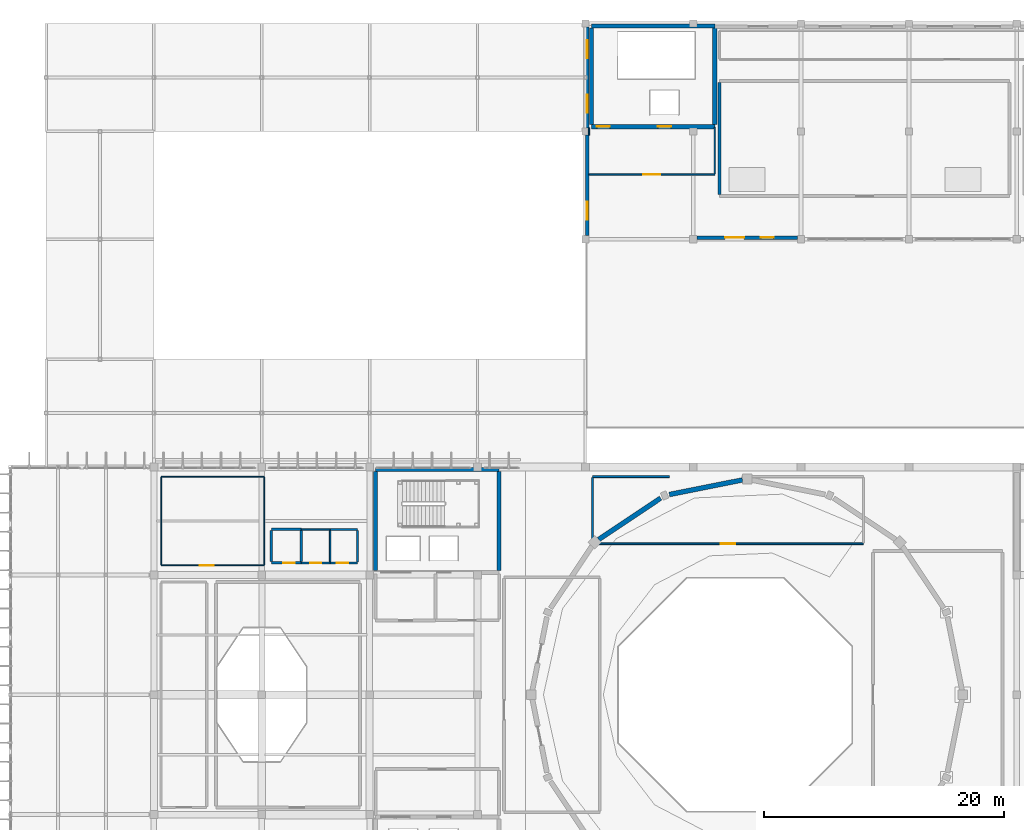
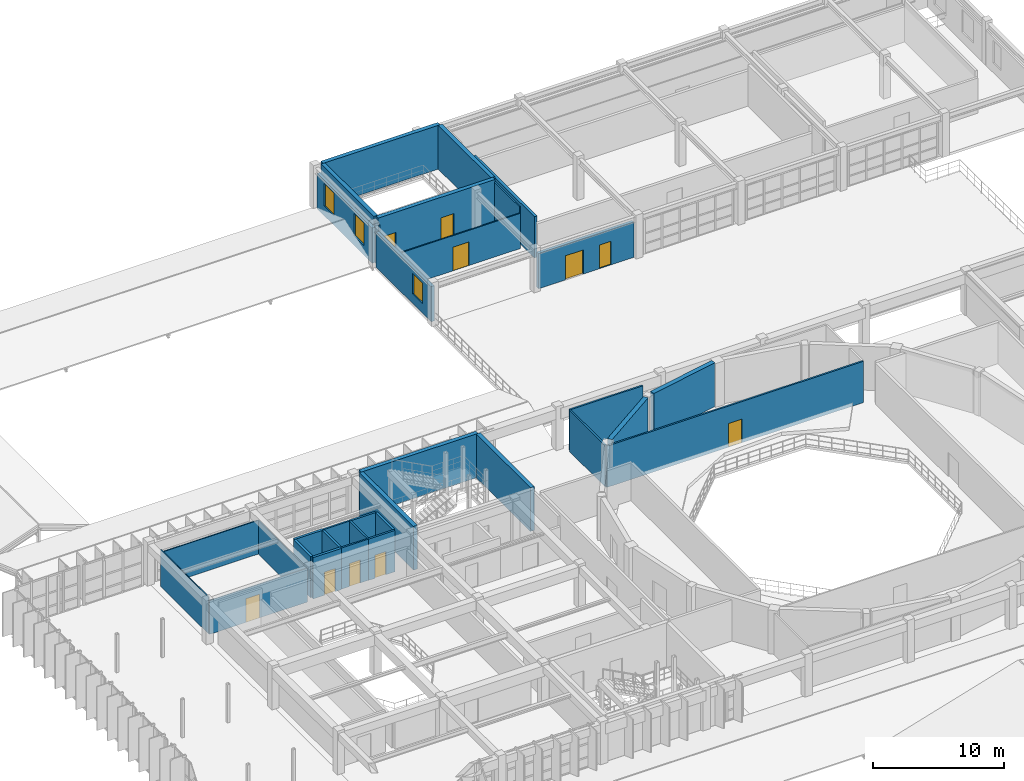
# One storey, part 71 of 80: 33 walls, 10 doors, 3 windows, 13 openings.
"""IFC4 building model written with IfcOpenShell, lengths in metres."""

from ifc_helpers import new_model, si_unit, direction, frame, frame_2d, origin, place, context, subcontext, project, spatial, rectangle, extrude, material, layer, layer_set, type_object, element, fill, save


model = new_model("IFC4")

# Units and contexts
model_context = context("Model", 3, precision=1e-05, world=origin(), true_north=direction((0.0, 1.0)))
body_context = subcontext(model_context, "Body", "Model", "MODEL_VIEW")
ifc_project = project(units=[si_unit("LENGTHUNIT", "METRE"), si_unit("AREAUNIT", "SQUARE_METRE"), si_unit("VOLUMEUNIT", "CUBIC_METRE"), si_unit("PLANEANGLEUNIT", "RADIAN"), si_unit("MASSUNIT", "GRAM", prefix="KILO")], contexts=[model_context])

# Site, building, storey
site_placement = place(None, origin())
site = spatial("IfcSite", under=ifc_project, at=site_placement, CompositionType="ELEMENT")
building_placement = place(site_placement, origin())
building = spatial("IfcBuilding", under=site, at=building_placement, Name="Miravela Opera House", CompositionType="ELEMENT")
storey_placement = place(building_placement, frame((0.0, 0.0, 17.679931640625)))
storey = spatial("IfcBuildingStorey", under=building, at=storey_placement, Name="L04", CompositionType="ELEMENT", Elevation=17.679931640625)

# Wall, opening, window
ifc_material_1 = material(Name="Insulated cream lime-stuccoed masonry", Category="masonry")
ifc_layer_1 = layer(ifc_material_1, 0.2900390625)
ifc_layer_set_1 = layer_set([ifc_layer_1])
wall_type_1 = type_object("IfcWallType", Name="ARC-EW-STUCCO-290", PredefinedType="STANDARD", material=ifc_layer_set_1)
wall_1_placement = place(storey_placement, frame((63.14990234375, 94.300048828125, 0.0), z_axis=(0.0, 0.0, 1.0), x_axis=(0.0, 1.0, 0.0)))
wall_1 = element("IfcWall", 1, at=wall_1_placement, inside=storey, type_object=wall_type_1, Name="Spanish Colonial Stucco Facade Wall L04-058", PredefinedType="STANDARD", context=body_context, shape_type="SweptSolid", body=[
    extrude(rectangle(XDim=8.39990234375, YDim=0.2900390625, at=frame_2d((4.199951171875, 0.0))), origin(), (0.0, 0.0, 1.0), 3.277099609375),
])
opening_1_placement = place(wall_1_placement, frame((1.35009765625, 0.0, 0.89990234375)))
opening_1 = element("IfcOpeningElement", 2, at=opening_1_placement, cuts=wall_1, Name="Opening W-36", PredefinedType="OPENING", context=body_context, shape_type="SweptSolid", body=[
    extrude(rectangle(XDim=1.47998046875, YDim=1.89990234375, at=frame_2d((0.739990234375, 0.949951171875))), frame((0.0, 0.155029296875, 0.0), z_axis=(0.0, -1.0, 0.0), x_axis=(1.0, 0.0, 0.0)), (0.0, 0.0, 1.0), 0.31005859375),
])
ifc_material_2 = material(Name="Bronze-anodised aluminium and acoustic low-E glass", Category="aluminium")
window_type_1 = type_object("IfcWindowType", Name="ARC-WIN-36", PartitioningType="DOUBLE_PANEL_VERTICAL", PredefinedType="WINDOW", material=ifc_material_2)
window_1_placement = place(opening_1_placement, origin())
window_1 = element("IfcWindow", 3, at=window_1_placement, inside=storey, type_object=window_type_1, Name="Window W-36 #135", OverallHeight=1.89990234375, OverallWidth=1.47998046875, PartitioningType="DOUBLE_PANEL_VERTICAL", PredefinedType="WINDOW", context=body_context, shape_type="SweptSolid", body=[
    extrude(rectangle(XDim=1.47998046875, YDim=1.89990234375, at=frame_2d((0.739990234375, 0.949951171875))), frame((0.0, 0.030029296875, 0.0), z_axis=(0.0, -1.0, 0.0), x_axis=(1.0, 0.0, 0.0)), (0.0, 0.0, 1.0), 0.06005859375),
])
fill(opening_1, window_1)

# Wall, openings, windows
wall_2_placement = place(storey_placement, frame((63.14990234375, 103.300048828125, 0.0), z_axis=(0.0, 0.0, 1.0), x_axis=(0.0, 1.0, 0.0)))
wall_2 = element("IfcWall", 4, at=wall_2_placement, inside=storey, type_object=wall_type_1, Name="Spanish Colonial Stucco Facade Wall L04-060", PredefinedType="STANDARD", context=body_context, shape_type="SweptSolid", body=[
    extrude(rectangle(XDim=8.39990234375, YDim=0.2900390625, at=frame_2d((4.199951171875, 0.0))), origin(), (0.0, 0.0, 1.0), 3.277099609375),
])
opening_2_placement = place(wall_2_placement, frame((1.25, 0.0, 0.89990234375)))
opening_2 = element("IfcOpeningElement", 5, at=opening_2_placement, cuts=wall_2, Name="Opening W-02", PredefinedType="OPENING", context=body_context, shape_type="SweptSolid", body=[
    extrude(rectangle(XDim=1.5, YDim=2.10009765625, at=frame_2d((0.75, 1.050048828125))), frame((0.0, 0.155029296875, 0.0), z_axis=(0.0, -1.0, 0.0), x_axis=(1.0, 0.0, 0.0)), (0.0, 0.0, 1.0), 0.31005859375),
])
opening_3_placement = place(wall_2_placement, frame((5.800048828125, 0.0, 0.89990234375)))
opening_3 = element("IfcOpeningElement", 6, at=opening_3_placement, cuts=wall_2, Name="Opening W-02", PredefinedType="OPENING", context=body_context, shape_type="SweptSolid", body=[
    extrude(rectangle(XDim=1.5, YDim=2.10009765625, at=frame_2d((0.75, 1.050048828125))), frame((0.0, 0.155029296875, 0.0), z_axis=(0.0, -1.0, 0.0), x_axis=(1.0, 0.0, 0.0)), (0.0, 0.0, 1.0), 0.31005859375),
])
window_type_2 = type_object("IfcWindowType", Name="ARC-WIN-02", PartitioningType="DOUBLE_PANEL_VERTICAL", PredefinedType="WINDOW", material=ifc_material_2)
window_2_placement = place(opening_2_placement, origin())
window_2 = element("IfcWindow", 7, at=window_2_placement, inside=storey, type_object=window_type_2, Name="Window W-02 #138", OverallHeight=2.10009765625, OverallWidth=1.5, PartitioningType="DOUBLE_PANEL_VERTICAL", PredefinedType="WINDOW", context=body_context, shape_type="SweptSolid", body=[
    extrude(rectangle(XDim=1.5, YDim=2.10009765625, at=frame_2d((0.75, 1.050048828125))), frame((0.0, 0.030029296875, 0.0), z_axis=(0.0, -1.0, 0.0), x_axis=(1.0, 0.0, 0.0)), (0.0, 0.0, 1.0), 0.06005859375),
])
fill(opening_2, window_2)
window_3_placement = place(opening_3_placement, origin())
window_3 = element("IfcWindow", 8, at=window_3_placement, inside=storey, type_object=window_type_2, Name="Window W-02 #139", OverallHeight=2.10009765625, OverallWidth=1.5, PartitioningType="DOUBLE_PANEL_VERTICAL", PredefinedType="WINDOW", context=body_context, shape_type="SweptSolid", body=[
    extrude(rectangle(XDim=1.5, YDim=2.10009765625, at=frame_2d((0.75, 1.050048828125))), frame((0.0, 0.030029296875, 0.0), z_axis=(0.0, -1.0, 0.0), x_axis=(1.0, 0.0, 0.0)), (0.0, 0.0, 1.0), 0.06005859375),
])
fill(opening_3, window_3)

# Wall, openings, doors
wall_3_placement = place(storey_placement, frame((72.300048828125, 94.14990234375, 0.0), z_axis=(0.0, 0.0, 1.0), x_axis=(1.0, 0.0, 0.0)))
wall_3 = element("IfcWall", 9, at=wall_3_placement, inside=storey, type_object=wall_type_1, Name="L04 North Planted Roof Terrace Portal Wall", PredefinedType="STANDARD", context=body_context, shape_type="SweptSolid", body=[
    extrude(rectangle(XDim=8.39990234375, YDim=0.2900390625, at=frame_2d((4.199951171875, 0.0))), origin(), (0.0, 0.0, 1.0), 3.277099609375),
])
opening_4_placement = place(wall_3_placement, frame((2.35009765625, 0.0, 0.0)))
opening_4 = element("IfcOpeningElement", 10, at=opening_4_placement, cuts=wall_3, Name="Opening TD-01", PredefinedType="OPENING", context=body_context, shape_type="SweptSolid", body=[
    extrude(rectangle(XDim=1.60009765625, YDim=2.25, at=frame_2d((0.800048828125, 1.125))), frame((0.0, 0.155029296875, 0.0), z_axis=(0.0, -1.0, 0.0), x_axis=(1.0, 0.0, 0.0)), (0.0, 0.0, 1.0), 0.31005859375),
])
opening_5_placement = place(wall_3_placement, frame((5.35009765625, 0.0, 0.0)))
opening_5 = element("IfcOpeningElement", 11, at=opening_5_placement, cuts=wall_3, Name="Opening TD-02", PredefinedType="OPENING", context=body_context, shape_type="SweptSolid", body=[
    extrude(rectangle(XDim=1.050048828125, YDim=2.199951171875, at=frame_2d((0.52490234375, 1.10009765625))), frame((0.0, 0.155029296875, 0.0), z_axis=(0.0, -1.0, 0.0), x_axis=(1.0, 0.0, 0.0)), (0.0, 0.0, 1.0), 0.31005859375),
])
ifc_material_3 = material(Name="Anodised architectural bronze aluminium 6063-T6", Category="aluminium")
door_type_1 = type_object("IfcDoorType", Name="ARC-TD-1050X2200", OperationType="NOTDEFINED", PredefinedType="DOOR", material=ifc_material_3)
door_1_placement = place(opening_5_placement, frame((1.050048828125, 0.0, 0.0), z_axis=(0.0, 0.0, 1.0), x_axis=(-1.0, 0.0, 0.0)))
door_1 = element("IfcDoor", 12, at=door_1_placement, inside=storey, type_object=door_type_1, Name="L04 North Planted Roof Terrace Access Door 2 EXD-L04-033", OperationType="SINGLE_SWING_RIGHT", OverallHeight=2.199951171875, OverallWidth=1.050048828125, PredefinedType="DOOR", context=body_context, shape_type="SweptSolid", body=[
    extrude(rectangle(XDim=1.050048828125, YDim=2.199951171875, at=frame_2d((0.52490234375, 1.10009765625))), frame((0.0, 0.02490234375, 0.0), z_axis=(0.0, -1.0, 0.0), x_axis=(1.0, 0.0, 0.0)), (0.0, 0.0, 1.0), 0.050048828125),
])
fill(opening_5, door_1)
door_type_2 = type_object("IfcDoorType", Name="ARC-TD-1600X2250", OperationType="NOTDEFINED", PredefinedType="DOOR", material=ifc_material_3)
door_2_placement = place(opening_4_placement, frame((1.60009765625, 0.0, 0.0), z_axis=(0.0, 0.0, 1.0), x_axis=(-1.0, 0.0, 0.0)))
door_2 = element("IfcDoor", 13, at=door_2_placement, inside=storey, type_object=door_type_2, Name="L04 North Planted Roof Terrace Access Door 1 EXD-L04-032", OperationType="DOUBLE_DOOR_SINGLE_SWING", OverallHeight=2.25, OverallWidth=1.60009765625, PredefinedType="DOOR", context=body_context, shape_type="SweptSolid", body=[
    extrude(rectangle(XDim=1.60009765625, YDim=2.25, at=frame_2d((0.800048828125, 1.125))), frame((0.0, 0.02490234375, 0.0), z_axis=(0.0, -1.0, 0.0), x_axis=(1.0, 0.0, 0.0)), (0.0, 0.0, 1.0), 0.050048828125),
])
fill(opening_4, door_2)

# Wall, opening, door
ifc_material_4 = material(Name="Sanitary chase acoustic plumbing wall")
ifc_layer_2 = layer(ifc_material_4, 0.139892578125)
ifc_layer_set_2 = layer_set([ifc_layer_2])
wall_type_2 = type_object("IfcWallType", Name="ARC-PLW-150", PredefinedType="PLUMBINGWALL", material=ifc_layer_set_2)
wall_4_placement = place(storey_placement, frame((39.300048828125, 67.0, 0.0), z_axis=(0.0, 0.0, 1.0), x_axis=(1.0, 0.0, 0.0)))
wall_4 = element("IfcWall", 14, at=wall_4_placement, inside=storey, type_object=wall_type_2, Name="Female Public WC L04 Partition South", PredefinedType="PLUMBINGWALL", context=body_context, shape_type="SweptSolid", body=[
    extrude(rectangle(XDim=2.39990234375, YDim=0.139892578125, at=frame_2d((1.199951171875, 0.0))), origin(), (0.0, 0.0, 1.0), 3.840087890625),
])
opening_6_placement = place(wall_4_placement, frame((0.72509765625, 0.0, 0.0)))
opening_6 = element("IfcOpeningElement", 15, at=opening_6_placement, cuts=wall_4, Name="Opening ID-01", PredefinedType="OPENING", context=body_context, shape_type="SweptSolid", body=[
    extrude(rectangle(XDim=0.949951171875, YDim=2.14990234375, at=frame_2d((0.47509765625, 1.074951171875))), frame((0.0, 0.079833984375, 0.0), z_axis=(0.0, -1.0, 0.0), x_axis=(1.0, 0.0, 0.0)), (0.0, 0.0, 1.0), 0.159912109375),
])
ifc_material_5 = material(Name="Solid mahogany acoustic room door")
door_type_3 = type_object("IfcDoorType", Name="ARC-DR-950X2150", OperationType="NOTDEFINED", PredefinedType="DOOR", material=ifc_material_5)
door_3_placement = place(opening_6_placement, origin())
door_3 = element("IfcDoor", 16, at=door_3_placement, inside=storey, type_object=door_type_3, Name="Female Public WC L04 Entry Door IDR-L04-0309", OperationType="SINGLE_SWING_LEFT", OverallHeight=2.14990234375, OverallWidth=0.949951171875, PredefinedType="DOOR", context=body_context, shape_type="SweptSolid", body=[
    extrude(rectangle(XDim=0.949951171875, YDim=2.14990234375, at=frame_2d((0.47509765625, 1.074951171875))), frame((0.0, 0.02490234375, 0.0), z_axis=(0.0, -1.0, 0.0), x_axis=(1.0, 0.0, 0.0)), (0.0, 0.0, 1.0), 0.050048828125),
])
fill(opening_6, door_3)

# Walls
wall_5_placement = place(storey_placement, frame((39.300048828125, 69.800048828125, 0.0), z_axis=(0.0, 0.0, 1.0), x_axis=(1.0, 0.0, 0.0)))
element("IfcWall", 17, at=wall_5_placement, inside=storey, type_object=wall_type_2, Name="Female Public WC L04 Partition North", PredefinedType="PLUMBINGWALL", context=body_context, shape_type="SweptSolid", body=[
    extrude(rectangle(XDim=2.39990234375, YDim=0.139892578125, at=frame_2d((1.199951171875, 0.0))), origin(), (0.0, 0.0, 1.0), 3.840087890625),
])
wall_6_placement = place(storey_placement, frame((41.699951171875, 67.070068359375, 0.0), z_axis=(0.0, 0.0, 1.0), x_axis=(0.0, 1.0, 0.0)))
element("IfcWall", 18, at=wall_6_placement, inside=storey, type_object=wall_type_2, Name="Female Public WC L04 Partition East", PredefinedType="PLUMBINGWALL", context=body_context, shape_type="SweptSolid", body=[
    extrude(rectangle(XDim=2.659912109375, YDim=0.139892578125, at=frame_2d((1.330078125, 0.0))), origin(), (0.0, 0.0, 1.0), 3.840087890625),
])

# Wall, opening, door
ifc_material_6 = material(Name="Public washroom wet-service chase wall")
ifc_layer_3 = layer(ifc_material_6, 0.179931640625)
ifc_layer_set_3 = layer_set([ifc_layer_3])
wall_type_3 = type_object("IfcWallType", Name="ARC-PLW-180", PredefinedType="PLUMBINGWALL", material=ifc_layer_set_3)
wall_7_placement = place(storey_placement, frame((41.699951171875, 67.0, 0.0), z_axis=(0.0, 0.0, 1.0), x_axis=(1.0, 0.0, 0.0)))
wall_7 = element("IfcWall", 19, at=wall_7_placement, inside=storey, type_object=wall_type_3, Name="Male Public WC L04 Partition South", PredefinedType="PLUMBINGWALL", context=body_context, shape_type="SweptSolid", body=[
    extrude(rectangle(XDim=2.300048828125, YDim=0.179931640625, at=frame_2d((1.14990234375, 0.0))), origin(), (0.0, 0.0, 1.0), 3.840087890625),
])
opening_7_placement = place(wall_7_placement, frame((0.560302734375, 0.0, 0.0)))
opening_7 = element("IfcOpeningElement", 20, at=opening_7_placement, cuts=wall_7, Name="Opening ID-01", PredefinedType="OPENING", context=body_context, shape_type="SweptSolid", body=[
    extrude(rectangle(XDim=0.949951171875, YDim=2.14990234375, at=frame_2d((0.47509765625, 1.074951171875))), frame((0.0, 0.099853515625, 0.0), z_axis=(0.0, -1.0, 0.0), x_axis=(1.0, 0.0, 0.0)), (0.0, 0.0, 1.0), 0.199951171875),
])
door_4_placement = place(opening_7_placement, origin())
door_4 = element("IfcDoor", 21, at=door_4_placement, inside=storey, type_object=door_type_3, Name="Male Public WC L04 Entry Door IDR-L04-0310", OperationType="SINGLE_SWING_RIGHT", OverallHeight=2.14990234375, OverallWidth=0.949951171875, PredefinedType="DOOR", context=body_context, shape_type="SweptSolid", body=[
    extrude(rectangle(XDim=0.949951171875, YDim=2.14990234375, at=frame_2d((0.47509765625, 1.074951171875))), frame((0.0, 0.02490234375, 0.0), z_axis=(0.0, -1.0, 0.0), x_axis=(1.0, 0.0, 0.0)), (0.0, 0.0, 1.0), 0.050048828125),
])
fill(opening_7, door_4)

# Walls
wall_8_placement = place(storey_placement, frame((41.699951171875, 69.800048828125, 0.0), z_axis=(0.0, 0.0, 1.0), x_axis=(1.0, 0.0, 0.0)))
element("IfcWall", 22, at=wall_8_placement, inside=storey, type_object=wall_type_3, Name="Male Public WC L04 Partition North", PredefinedType="PLUMBINGWALL", context=body_context, shape_type="SweptSolid", body=[
    extrude(rectangle(XDim=2.300048828125, YDim=0.179931640625, at=frame_2d((1.14990234375, 0.0))), origin(), (0.0, 0.0, 1.0), 3.840087890625),
])
wall_9_placement = place(storey_placement, frame((44.0, 67.090087890625, 0.0), z_axis=(0.0, 0.0, 1.0), x_axis=(0.0, 1.0, 0.0)))
element("IfcWall", 23, at=wall_9_placement, inside=storey, type_object=wall_type_3, Name="Male Public WC L04 Partition East", PredefinedType="PLUMBINGWALL", context=body_context, shape_type="SweptSolid", body=[
    extrude(rectangle(XDim=2.619873046875, YDim=0.179931640625, at=frame_2d((1.31005859375, 0.0))), origin(), (0.0, 0.0, 1.0), 3.840087890625),
])

# Wall, opening, door
ifc_material_7 = material(Name="Dressing suite sanitary chase wall")
ifc_layer_4 = layer(ifc_material_7, 0.219970703125)
ifc_layer_set_4 = layer_set([ifc_layer_4])
wall_type_4 = type_object("IfcWallType", Name="ARC-PLW-215", PredefinedType="PLUMBINGWALL", material=ifc_layer_set_4)
wall_10_placement = place(storey_placement, frame((36.800048828125, 67.0, 0.0), z_axis=(0.0, 0.0, 1.0), x_axis=(1.0, 0.0, 0.0)))
wall_10 = element("IfcWall", 24, at=wall_10_placement, inside=storey, type_object=wall_type_4, Name="Accessible WC L04 Partition South", PredefinedType="PLUMBINGWALL", context=body_context, shape_type="SweptSolid", body=[
    extrude(rectangle(XDim=2.5, YDim=0.219970703125, at=frame_2d((1.25, 0.0))), origin(), (0.0, 0.0, 1.0), 3.840087890625),
])
opening_8_placement = place(wall_10_placement, frame((1.005859375, 0.0, 0.0)))
opening_8 = element("IfcOpeningElement", 25, at=opening_8_placement, cuts=wall_10, Name="Opening ID-01", PredefinedType="OPENING", context=body_context, shape_type="SweptSolid", body=[
    extrude(rectangle(XDim=0.949951171875, YDim=2.14990234375, at=frame_2d((0.47509765625, 1.074951171875))), frame((0.0, 0.119873046875, 0.0), z_axis=(0.0, -1.0, 0.0), x_axis=(1.0, 0.0, 0.0)), (0.0, 0.0, 1.0), 0.239990234375),
])
door_5_placement = place(opening_8_placement, origin())
door_5 = element("IfcDoor", 26, at=door_5_placement, inside=storey, type_object=door_type_3, Name="Accessible WC L04 Entry Door IDR-L04-0308", OperationType="SINGLE_SWING_RIGHT", OverallHeight=2.14990234375, OverallWidth=0.949951171875, PredefinedType="DOOR", context=body_context, shape_type="SweptSolid", body=[
    extrude(rectangle(XDim=0.949951171875, YDim=2.14990234375, at=frame_2d((0.47509765625, 1.074951171875))), frame((0.0, 0.02490234375, 0.0), z_axis=(0.0, -1.0, 0.0), x_axis=(1.0, 0.0, 0.0)), (0.0, 0.0, 1.0), 0.050048828125),
])
fill(opening_8, door_5)

# Walls
wall_11_placement = place(storey_placement, frame((36.800048828125, 69.800048828125, 0.0), z_axis=(0.0, 0.0, 1.0), x_axis=(1.0, 0.0, 0.0)))
element("IfcWall", 27, at=wall_11_placement, inside=storey, type_object=wall_type_4, Name="Accessible WC L04 Partition North", PredefinedType="PLUMBINGWALL", context=body_context, shape_type="SweptSolid", body=[
    extrude(rectangle(XDim=2.5, YDim=0.219970703125, at=frame_2d((1.25, 0.0))), origin(), (0.0, 0.0, 1.0), 3.840087890625),
])
for number, where, z_axis, x_axis, name in (
    (28, (36.800048828125, 67.110107421875, 0.0), (0.0, 0.0, 1.0), (0.0, 1.0, 0.0), "Accessible WC L04 Partition West"),
    (29, (39.300048828125, 67.110107421875, 0.0), (0.0, 0.0, 1.0), (0.0, 1.0, 0.0), "Accessible WC L04 Partition East"),
):
    element("IfcWall", number, at=place(storey_placement, frame(where, z_axis=z_axis, x_axis=x_axis)), inside=storey, type_object=wall_type_4, Name=name, PredefinedType="PLUMBINGWALL", context=body_context, shape_type="SweptSolid", body=[
        extrude(rectangle(XDim=2.579833984375, YDim=0.219970703125, at=frame_2d((1.2900390625, 0.0))), origin(), (0.0, 0.0, 1.0), 3.840087890625),
    ])

# Wall, opening, door
ifc_material_8 = material(Name="Acoustic metal-stud gypsum partition")
ifc_layer_5 = layer(ifc_material_8, 0.090087890625)
ifc_layer_set_5 = layer_set([ifc_layer_5])
wall_type_5 = type_object("IfcWallType", Name="ARC-PT-090", PredefinedType="PARTITIONING", material=ifc_layer_set_5)
wall_12_placement = place(storey_placement, frame((27.60009765625, 66.800048828125, 0.0), z_axis=(0.0, 0.0, 1.0), x_axis=(1.0, 0.0, 0.0)))
wall_12 = element("IfcWall", 30, at=wall_12_placement, inside=storey, type_object=wall_type_5, Name="Cultural Press and Media Briefing Salon Partition South", PredefinedType="PARTITIONING", context=body_context, shape_type="SweptSolid", body=[
    extrude(rectangle(XDim=8.599853515625, YDim=0.090087890625, at=frame_2d((4.2998046875, 0.0))), origin(), (0.0, 0.0, 1.0), 3.14013671875),
])
opening_9_placement = place(wall_12_placement, frame((3.2080078125, 0.0, 0.0)))
opening_9 = element("IfcOpeningElement", 31, at=opening_9_placement, cuts=wall_12, Name="Opening ID-04", PredefinedType="OPENING", context=body_context, shape_type="SweptSolid", body=[
    extrude(rectangle(XDim=1.199951171875, YDim=2.199951171875, at=frame_2d((0.60009765625, 1.10009765625))), frame((0.0, 0.054931640625, 0.0), z_axis=(0.0, -1.0, 0.0), x_axis=(1.0, 0.0, 0.0)), (0.0, 0.0, 1.0), 0.110107421875),
])
ifc_material_9 = material(Name="Wide acoustic ensemble door")
door_type_4 = type_object("IfcDoorType", Name="ARC-DR-1200X2200", OperationType="NOTDEFINED", PredefinedType="DOOR", material=ifc_material_9)
door_6_placement = place(opening_9_placement, origin())
door_6 = element("IfcDoor", 32, at=door_6_placement, inside=storey, type_object=door_type_4, Name="Cultural Press and Media Briefing Salon Entry Door IDR-L04-0319", OperationType="SINGLE_SWING_LEFT", OverallHeight=2.199951171875, OverallWidth=1.199951171875, PredefinedType="DOOR", context=body_context, shape_type="SweptSolid", body=[
    extrude(rectangle(XDim=1.199951171875, YDim=2.199951171875, at=frame_2d((0.60009765625, 1.10009765625))), frame((0.0, 0.02490234375, 0.0), z_axis=(0.0, -1.0, 0.0), x_axis=(1.0, 0.0, 0.0)), (0.0, 0.0, 1.0), 0.050048828125),
])
fill(opening_9, door_6)

# Walls
wall_13_placement = place(storey_placement, frame((27.60009765625, 74.199951171875, 0.0), z_axis=(0.0, 0.0, 1.0), x_axis=(1.0, 0.0, 0.0)))
element("IfcWall", 33, at=wall_13_placement, inside=storey, type_object=wall_type_5, Name="Cultural Press and Media Briefing Salon Partition North", PredefinedType="PARTITIONING", context=body_context, shape_type="SweptSolid", body=[
    extrude(rectangle(XDim=8.599853515625, YDim=0.090087890625, at=frame_2d((4.2998046875, 0.0))), origin(), (0.0, 0.0, 1.0), 3.14013671875),
])
wall_14_placement = place(storey_placement, frame((27.60009765625, 66.844970703125, 0.0), z_axis=(0.0, 0.0, 1.0), x_axis=(0.0, 1.0, 0.0)))
element("IfcWall", 34, at=wall_14_placement, inside=storey, type_object=wall_type_5, Name="Cultural Press and Media Briefing Salon Partition West", PredefinedType="PARTITIONING", context=body_context, shape_type="SweptSolid", body=[
    extrude(rectangle(XDim=7.31005859375, YDim=0.090087890625, at=frame_2d((3.655029296875, 0.0))), origin(), (0.0, 0.0, 1.0), 3.4130859375),
])
wall_15_placement = place(storey_placement, frame((36.199951171875, 66.844970703125, 0.0), z_axis=(0.0, 0.0, 1.0), x_axis=(0.0, 1.0, 0.0)))
element("IfcWall", 35, at=wall_15_placement, inside=storey, type_object=wall_type_5, Name="Cultural Press and Media Briefing Salon Partition East", PredefinedType="PARTITIONING", context=body_context, shape_type="SweptSolid", body=[
    extrude(rectangle(XDim=7.31005859375, YDim=0.090087890625, at=frame_2d((3.655029296875, 0.0))), origin(), (0.0, 0.0, 1.0), 3.14013671875),
])

# Wall, opening, door
ifc_material_10 = material(Name="Double-layer acoustic gypsum partition")
ifc_layer_6 = layer(ifc_material_10, 0.110107421875)
ifc_layer_set_6 = layer_set([ifc_layer_6])
wall_type_6 = type_object("IfcWallType", Name="ARC-PT-110", PredefinedType="PARTITIONING", material=ifc_layer_set_6)
wall_16_placement = place(storey_placement, frame((63.294921875, 99.39990234375, 0.0), z_axis=(0.0, 0.0, 1.0), x_axis=(1.0, 0.0, 0.0)))
wall_16 = element("IfcWall", 36, at=wall_16_placement, inside=storey, type_object=wall_type_6, Name="Passenger Lift Lobby K5 L04 Partition South", PredefinedType="PARTITIONING", context=body_context, shape_type="SweptSolid", body=[
    extrude(rectangle(XDim=10.505126953125, YDim=0.110107421875, at=frame_2d((5.25244140625, 0.0))), origin(), (0.0, 0.0, 1.0), 3.277099609375),
])
opening_10_placement = place(wall_16_placement, frame((4.552490234375, 0.0, 0.0)))
opening_10 = element("IfcOpeningElement", 37, at=opening_10_placement, cuts=wall_16, Name="Opening FD-03", PredefinedType="OPENING", context=body_context, shape_type="SweptSolid", body=[
    extrude(rectangle(XDim=1.39990234375, YDim=2.199951171875, at=frame_2d((0.699951171875, 1.10009765625))), frame((0.0, 0.06494140625, 0.0), z_axis=(0.0, -1.0, 0.0), x_axis=(1.0, 0.0, 0.0)), (0.0, 0.0, 1.0), 0.130126953125),
])
ifc_material_11 = material(Name="Fire-rated lobby/archive double door")
door_type_5 = type_object("IfcDoorType", Name="ARC-FD-1400X2200", OperationType="NOTDEFINED", PredefinedType="DOOR", material=ifc_material_11)
door_7_placement = place(opening_10_placement, frame((1.39990234375, 0.0, 0.0), z_axis=(0.0, 0.0, 1.0), x_axis=(-1.0, 0.0, 0.0)))
door_7 = element("IfcDoor", 38, at=door_7_placement, inside=storey, type_object=door_type_5, Name="Passenger Lift Lobby K5 L04 Entry Door IDR-L04-0307", OperationType="DOUBLE_DOOR_SINGLE_SWING", OverallHeight=2.199951171875, OverallWidth=1.39990234375, PredefinedType="DOOR", context=body_context, shape_type="SweptSolid", body=[
    extrude(rectangle(XDim=1.39990234375, YDim=2.199951171875, at=frame_2d((0.699951171875, 1.10009765625))), frame((0.0, 0.02490234375, 0.0), z_axis=(0.0, -1.0, 0.0), x_axis=(1.0, 0.0, 0.0)), (0.0, 0.0, 1.0), 0.050048828125),
])
fill(opening_10, door_7)

# Walls
wall_17_placement = place(storey_placement, frame((63.294921875, 102.699951171875, 0.0), z_axis=(0.0, 0.0, 1.0), x_axis=(0.0, 1.0, 0.0)))
element("IfcWall", 39, at=wall_17_placement, inside=storey, type_object=wall_type_6, Name="Passenger Lift Lobby K5 L04 Partition West", PredefinedType="PARTITIONING", context=body_context, shape_type="SweptSolid", body=[
    extrude(rectangle(XDim=0.60009765625, YDim=0.110107421875, at=frame_2d((0.300048828125, 0.0))), origin(), (0.0, 0.0, 1.0), 3.840087890625),
])
wall_18_placement = place(storey_placement, frame((73.800048828125, 99.455078125, 0.0), z_axis=(0.0, 0.0, 1.0), x_axis=(0.0, 1.0, 0.0)))
element("IfcWall", 40, at=wall_18_placement, inside=storey, type_object=wall_type_6, Name="Passenger Lift Lobby K5 L04 Partition East", PredefinedType="PARTITIONING", context=body_context, shape_type="SweptSolid", body=[
    extrude(rectangle(XDim=3.889892578125, YDim=0.110107421875, at=frame_2d((1.94482421875, 0.0))), origin(), (0.0, 0.0, 1.0), 3.840087890625),
])

# Wall, opening, door
ifc_material_12 = material(Name="Studio double-stud acoustic partition")
ifc_layer_7 = layer(ifc_material_12, 0.14990234375)
ifc_layer_set_7 = layer_set([ifc_layer_7])
wall_type_7 = type_object("IfcWallType", Name="ARC-PT-145", PredefinedType="PARTITIONING", material=ifc_layer_set_7)
wall_19_placement = place(storey_placement, frame((63.60009765625, 68.60009765625, 0.0), z_axis=(0.0, 0.0, 1.0), x_axis=(1.0, 0.0, 0.0)))
wall_19 = element("IfcWall", 41, at=wall_19_placement, inside=storey, type_object=wall_type_7, Name="Television Lighting Control Studio Partition South", PredefinedType="PARTITIONING", context=body_context, shape_type="SweptSolid", body=[
    extrude(rectangle(XDim=22.599853515625, YDim=0.14990234375, at=frame_2d((11.2998046875, 0.0))), origin(), (0.0, 0.0, 1.0), 3.840087890625),
])
opening_11_placement = place(wall_19_placement, frame((10.699951171875, 0.0, 0.0)))
opening_11 = element("IfcOpeningElement", 42, at=opening_11_placement, cuts=wall_19, Name="Opening ID-04", PredefinedType="OPENING", context=body_context, shape_type="SweptSolid", body=[
    extrude(rectangle(XDim=1.199951171875, YDim=2.199951171875, at=frame_2d((0.60009765625, 1.10009765625))), frame((0.0, 0.0849609375, 0.0), z_axis=(0.0, -1.0, 0.0), x_axis=(1.0, 0.0, 0.0)), (0.0, 0.0, 1.0), 0.169921875),
])
door_8_placement = place(opening_11_placement, frame((1.199951171875, 0.0, 0.0), z_axis=(0.0, 0.0, 1.0), x_axis=(-1.0, 0.0, 0.0)))
door_8 = element("IfcDoor", 43, at=door_8_placement, inside=storey, type_object=door_type_4, Name="Television Lighting Control Studio Entry Door IDR-L04-0322", OperationType="SINGLE_SWING_RIGHT", OverallHeight=2.199951171875, OverallWidth=1.199951171875, PredefinedType="DOOR", context=body_context, shape_type="SweptSolid", body=[
    extrude(rectangle(XDim=1.199951171875, YDim=2.199951171875, at=frame_2d((0.60009765625, 1.10009765625))), frame((0.0, 0.02490234375, 0.0), z_axis=(0.0, -1.0, 0.0), x_axis=(1.0, 0.0, 0.0)), (0.0, 0.0, 1.0), 0.050048828125),
])
fill(opening_11, door_8)

# Walls
wall_20_placement = place(storey_placement, frame((63.60009765625, 74.199951171875, 0.0), z_axis=(0.0, 0.0, 1.0), x_axis=(1.0, 0.0, 0.0)))
element("IfcWall", 44, at=wall_20_placement, inside=storey, type_object=wall_type_7, Name="Television Lighting Control Studio Partition North 1", PredefinedType="PARTITIONING", context=body_context, shape_type="SweptSolid", body=[
    extrude(rectangle(XDim=6.40380859375, YDim=0.14990234375, at=frame_2d((3.201904296875, 0.0))), origin(), (0.0, 0.0, 1.0), 3.840087890625),
])
wall_21_placement = place(storey_placement, frame((63.60009765625, 68.675048828125, 0.0), z_axis=(0.0, 0.0, 1.0), x_axis=(0.0, 1.0, 0.0)))
element("IfcWall", 45, at=wall_21_placement, inside=storey, type_object=wall_type_7, Name="Television Lighting Control Studio Partition West", PredefinedType="PARTITIONING", context=body_context, shape_type="SweptSolid", body=[
    extrude(rectangle(XDim=5.449951171875, YDim=0.14990234375, at=frame_2d((2.72509765625, 0.0))), origin(), (0.0, 0.0, 1.0), 3.840087890625),
])
ifc_material_13 = material(Name="Firefighting lobby compartment wall")
ifc_layer_8 = layer(ifc_material_13, 0.25)
ifc_layer_set_8 = layer_set([ifc_layer_8])
wall_type_8 = type_object("IfcWallType", Name="ARC-PT-220", PredefinedType="PARTITIONING", material=ifc_layer_set_8)
wall_22_placement = place(storey_placement, frame((74.199951171875, 97.72509765625, 0.0), z_axis=(0.0, 0.0, 1.0), x_axis=(0.0, 1.0, 0.0)))
element("IfcWall", 46, at=wall_22_placement, inside=storey, type_object=wall_type_8, Name="Historical Opera Libretto Archive Stack Partition West", PredefinedType="PARTITIONING", context=body_context, shape_type="SweptSolid", body=[
    extrude(rectangle(XDim=9.349853515625, YDim=0.25, at=frame_2d((4.6748046875, 0.0))), origin(), (0.0, 0.0, 1.0), 3.840087890625),
])
ifc_material_14 = material(Name="Concrete C40/50", Category="concrete")
ifc_layer_9 = layer(ifc_material_14, 0.35009765625)
ifc_layer_set_9 = layer_set([ifc_layer_9])
wall_type_9 = type_object("IfcWallType", Name="STR-WALL-CORE-350", PredefinedType="SHEAR", material=ifc_layer_set_9)
wall_23_placement = place(storey_placement, frame((45.5, 74.800048828125, 0.0), z_axis=(0.0, 0.0, 1.0), x_axis=(1.0, 0.0, 0.0)))
element("IfcWall", 47, at=wall_23_placement, inside=storey, type_object=wall_type_9, Name="Core K1 Shear Wall North (L04)", PredefinedType="SHEAR", context=body_context, shape_type="SweptSolid", body=[
    extrude(rectangle(XDim=10.300048828125, YDim=0.35009765625, at=frame_2d((5.14990234375, 0.0))), origin(), (0.0, 0.0, 1.0), 4.080078125),
])
for number, where, z_axis, x_axis, name in (
    (48, (45.5, 66.375, 0.0), (0.0, 0.0, 1.0), (0.0, 1.0, 0.0), "Core K1 Shear Wall West (L04)"),
    (49, (55.800048828125, 66.375, 0.0), (0.0, 0.0, 1.0), (0.0, 1.0, 0.0), "Core K1 Shear Wall East (L04)"),
):
    element("IfcWall", number, at=place(storey_placement, frame(where, z_axis=z_axis, x_axis=x_axis)), inside=storey, type_object=wall_type_9, Name=name, PredefinedType="SHEAR", context=body_context, shape_type="SweptSolid", body=[
        extrude(rectangle(XDim=8.25, YDim=0.35009765625, at=frame_2d((4.125, 0.0))), origin(), (0.0, 0.0, 1.0), 4.080078125),
    ])

# Wall, openings, doors
wall_24_placement = place(storey_placement, frame((63.5, 103.39990234375, 0.0), z_axis=(0.0, 0.0, 1.0), x_axis=(1.0, 0.0, 0.0)))
wall_24 = element("IfcWall", 50, at=wall_24_placement, inside=storey, type_object=wall_type_9, Name="Core K5 Shear Wall South (L04)", PredefinedType="SHEAR", context=body_context, shape_type="SweptSolid", body=[
    extrude(rectangle(XDim=10.300048828125, YDim=0.35009765625, at=frame_2d((5.14990234375, 0.0))), origin(), (0.0, 0.0, 1.0), 4.080078125),
])
opening_12_placement = place(wall_24_placement, frame((0.449951171875, 0.0, 0.0)))
opening_12 = element("IfcOpeningElement", 51, at=opening_12_placement, cuts=wall_24, Name="Opening FD-01", PredefinedType="OPENING", context=body_context, shape_type="SweptSolid", body=[
    extrude(rectangle(XDim=1.10009765625, YDim=2.199951171875, at=frame_2d((0.550048828125, 1.10009765625))), frame((0.0, 0.18505859375, 0.0), z_axis=(0.0, -1.0, 0.0), x_axis=(1.0, 0.0, 0.0)), (0.0, 0.0, 1.0), 0.3701171875),
])
opening_13_placement = place(wall_24_placement, frame((5.5400390625, 0.0, 0.0)))
opening_13 = element("IfcOpeningElement", 52, at=opening_13_placement, cuts=wall_24, Name="Opening LD-02", PredefinedType="OPENING", context=body_context, shape_type="SweptSolid", body=[
    extrude(rectangle(XDim=1.1201171875, YDim=2.159912109375, at=frame_2d((0.56005859375, 1.080078125))), frame((0.0, 0.18505859375, 0.0), z_axis=(0.0, -1.0, 0.0), x_axis=(1.0, 0.0, 0.0)), (0.0, 0.0, 1.0), 0.3701171875),
])
ifc_material_15 = material(Name="Fire-rated steel/hardwood exit stair door", Category="steel")
door_type_6 = type_object("IfcDoorType", Name="ARC-FD-1100X2200", OperationType="NOTDEFINED", PredefinedType="DOOR", material=ifc_material_15)
door_9_placement = place(opening_12_placement, origin())
door_9 = element("IfcDoor", 53, at=door_9_placement, inside=storey, type_object=door_type_6, Name="Exit Stair ST-05 Rated Door (L04) IDR-L04-0035", OperationType="SINGLE_SWING_LEFT", OverallHeight=2.199951171875, OverallWidth=1.10009765625, PredefinedType="DOOR", context=body_context, shape_type="SweptSolid", body=[
    extrude(rectangle(XDim=1.10009765625, YDim=2.199951171875, at=frame_2d((0.550048828125, 1.10009765625))), frame((0.0, 0.02490234375, 0.0), z_axis=(0.0, -1.0, 0.0), x_axis=(1.0, 0.0, 0.0)), (0.0, 0.0, 1.0), 0.050048828125),
])
fill(opening_12, door_9)
ifc_material_16 = material(Name="Brushed stainless and bronze fire-rated lift landing door")
door_type_7 = type_object("IfcDoorType", Name="ARC-LD-PAX-1100X2150", OperationType="SLIDING_TO_LEFT", PredefinedType="DOOR", material=ifc_material_16)
door_10_placement = place(opening_13_placement, origin())
door_10 = element("IfcDoor", 54, at=door_10_placement, inside=storey, type_object=door_type_7, Name="Lift Landing Door PL-04 (L04)", OperationType="SLIDING_TO_LEFT", OverallHeight=2.159912109375, OverallWidth=1.1201171875, PredefinedType="DOOR", context=body_context, shape_type="SweptSolid", body=[
    extrude(rectangle(XDim=1.1201171875, YDim=2.159912109375, at=frame_2d((0.56005859375, 1.080078125))), frame((0.0, 0.02490234375, 0.0), z_axis=(0.0, -1.0, 0.0), x_axis=(1.0, 0.0, 0.0)), (0.0, 0.0, 1.0), 0.050048828125),
])
fill(opening_13, door_10)

# Walls
wall_25_placement = place(storey_placement, frame((63.5, 111.800048828125, 0.0), z_axis=(0.0, 0.0, 1.0), x_axis=(1.0, 0.0, 0.0)))
element("IfcWall", 55, at=wall_25_placement, inside=storey, type_object=wall_type_9, Name="Core K5 Shear Wall North (L04)", PredefinedType="SHEAR", context=body_context, shape_type="SweptSolid", body=[
    extrude(rectangle(XDim=10.300048828125, YDim=0.35009765625, at=frame_2d((5.14990234375, 0.0))), origin(), (0.0, 0.0, 1.0), 4.080078125),
])
for number, where, z_axis, x_axis, name in (
    (56, (63.5, 103.574951171875, 0.0), (0.0, 0.0, 1.0), (0.0, 1.0, 0.0), "Core K5 Shear Wall West (L04)"),
    (57, (73.800048828125, 103.574951171875, 0.0), (0.0, 0.0, 1.0), (0.0, 1.0, 0.0), "Core K5 Shear Wall East (L04)"),
):
    element("IfcWall", number, at=place(storey_placement, frame(where, z_axis=z_axis, x_axis=x_axis)), inside=storey, type_object=wall_type_9, Name=name, PredefinedType="SHEAR", context=body_context, shape_type="SweptSolid", body=[
        extrude(rectangle(XDim=8.050048828125, YDim=0.35009765625, at=frame_2d((4.02490234375, 0.0))), origin(), (0.0, 0.0, 1.0), 4.080078125),
    ])
ifc_layer_10 = layer(ifc_material_14, 0.39990234375)
ifc_layer_set_10 = layer_set([ifc_layer_10])
wall_type_10 = type_object("IfcWallType", Name="STR-WALL-DRUM-400", PredefinedType="SHEAR", material=ifc_layer_set_10)
wall_26_placement = place(storey_placement, frame((76.107666015625, 73.922119140625, 0.0), z_axis=(0.0, 0.0, 1.0), x_axis=(-0.980777834218, -0.195127752786, 0.0)))
element("IfcWall", 58, at=wall_26_placement, inside=storey, type_object=wall_type_10, Name="Auditorium Drum Shear Wall L04 Seg 5", PredefinedType="SHEAR", context=body_context, shape_type="SweptSolid", body=[
    extrude(rectangle(XDim=6.223388671875, YDim=0.39990234375, at=frame_2d((3.11181640625, 0.0))), origin(), (0.0, 0.0, 1.0), 4.080078125),
])
wall_27_placement = place(storey_placement, frame((69.279052734375, 72.40771484375, 0.0), z_axis=(0.0, 0.0, 1.0), x_axis=(-0.831458341015, -0.555587101324, 0.0)))
element("IfcWall", 59, at=wall_27_placement, inside=storey, type_object=wall_type_10, Name="Auditorium Drum Shear Wall L04 Seg 6", PredefinedType="SHEAR", context=body_context, shape_type="SweptSolid", body=[
    extrude(rectangle(XDim=6.22314453125, YDim=0.39990234375, at=frame_2d((3.111572265625, 0.0))), origin(), (0.0, 0.0, 1.0), 4.080078125),
])

save(model, "model.ifc")
